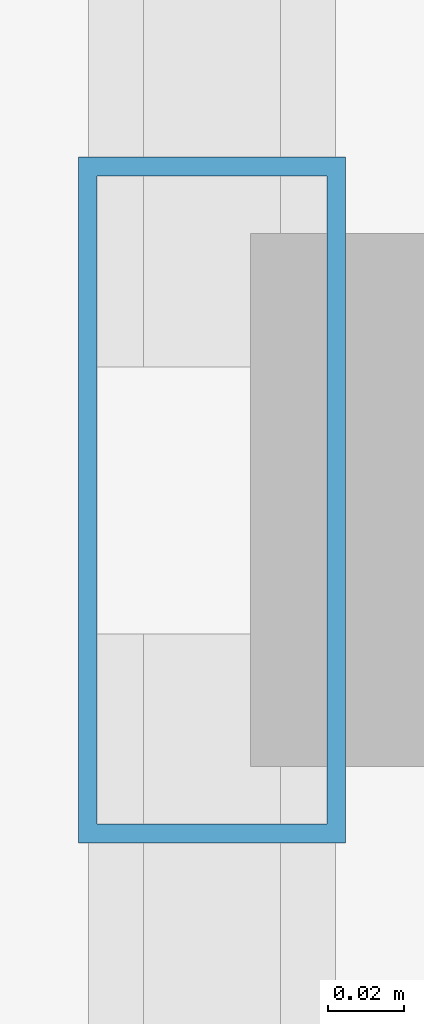
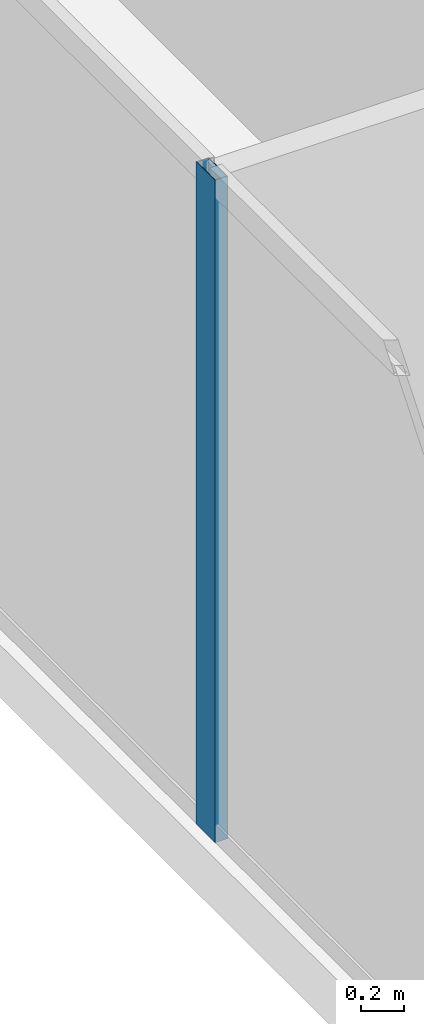
# One storey, part 9 of 33: 1 member, 1 element without a shape of its own.
"""IFC4 building model written with IfcOpenShell, lengths in metres."""

from ifc_helpers import new_model, si_unit, direction, frame, origin, origin_2d, place, context, subcontext, project, spatial, hollow_rectangle, extrude, source, transform, mapped, material, layer, layer_set, material_profile, profile_set, type_object, type_shapes, element, aggregate, save


model = new_model("IFC4")

# Units and contexts
model_context = context("Model", 3, precision=1e-05, world=origin(), true_north=direction((0.0, 1.0)))
body_context = subcontext(model_context, "Body", "Model", "MODEL_VIEW")
ifc_project = project(units=[si_unit("LENGTHUNIT", "METRE"), si_unit("AREAUNIT", "SQUARE_METRE"), si_unit("VOLUMEUNIT", "CUBIC_METRE"), si_unit("PLANEANGLEUNIT", "RADIAN"), si_unit("MASSUNIT", "GRAM", prefix="KILO")], contexts=[model_context])

# Site, building, storey
site_placement = place(None, origin())
site = spatial("IfcSite", under=ifc_project, at=site_placement, CompositionType="ELEMENT")
building_placement = place(site_placement, origin())
building = spatial("IfcBuilding", under=site, at=building_placement, Name="Haelvirn Gate Laboratories", CompositionType="ELEMENT")
storey_placement = place(building_placement, frame((0.0, 0.0, 287.5)))
storey = spatial("IfcBuildingStorey", under=building, at=storey_placement, Name="L69", CompositionType="ELEMENT", Elevation=287.5)

# Curtain wall, member
ifc_material_1 = material(Name="Anodised bronze unitised aluminium & triple low-E glass", Category="aluminium")
ifc_layer = layer(ifc_material_1, 0.176025390625, Name="CW-SYS-4")
ifc_layer_set = layer_set([ifc_layer], Name="Anodised bronze unitised aluminium & triple low-E glass")
curtain_wall_type = type_object("IfcCurtainWallType", Name="CW-SYS-4", PredefinedType="NOTDEFINED", material=ifc_layer_set)
curtain_wall_placement = place(storey_placement, origin())
curtain_wall = element("IfcCurtainWall", 1, at=curtain_wall_placement, inside=storey, type_object=curtain_wall_type, Name="L69 Unitised Curtain Wall CW-L69-P0-E17", PredefinedType="NOTDEFINED")
ifc_material_2 = material(Name="Extruded aluminium 6063-T6 (anodised bronze)", Category="aluminium")
ifc_material_profile = material_profile(ifc_material_2, hollow_rectangle(XDim=0.070068359375, YDim=0.179931640625, WallThickness=0.0048828125, at=origin_2d()), Name="CWM-180x70x5")
ifc_profile_set = profile_set([ifc_material_profile], Name="Extruded aluminium 6063-T6 (anodised bronze)")
member_type = type_object("IfcMemberType", Name="CWM-T180", PredefinedType="MULLION", material=ifc_profile_set)
shared_shape = source(origin(), body_context, "Body", "SweptSolid", [
    extrude(hollow_rectangle(XDim=0.070068359375, YDim=0.179931640625, WallThickness=0.0048828125, at=origin_2d()), origin(), (0.0, 0.0, 1.0), 3.800048828125),
])
type_shapes(member_type, [shared_shape])
member_placement = place(storey_placement, frame((4.10009765625, 24.300048828125, 0.0), z_axis=(0.0, 0.0, 1.0), x_axis=(1.0, 0.0, 0.0)))
member = element("IfcMember", 2, at=member_placement, type_object=member_type, Name="CW4 mullion 2", PredefinedType="MULLION", context=body_context, shape_type="MappedRepresentation", body=[
    mapped(shared_shape, transform((0.0, 0.0, 0.0), scale=1.0)),
])
aggregate(curtain_wall, [member])

save(model, "model.ifc")
